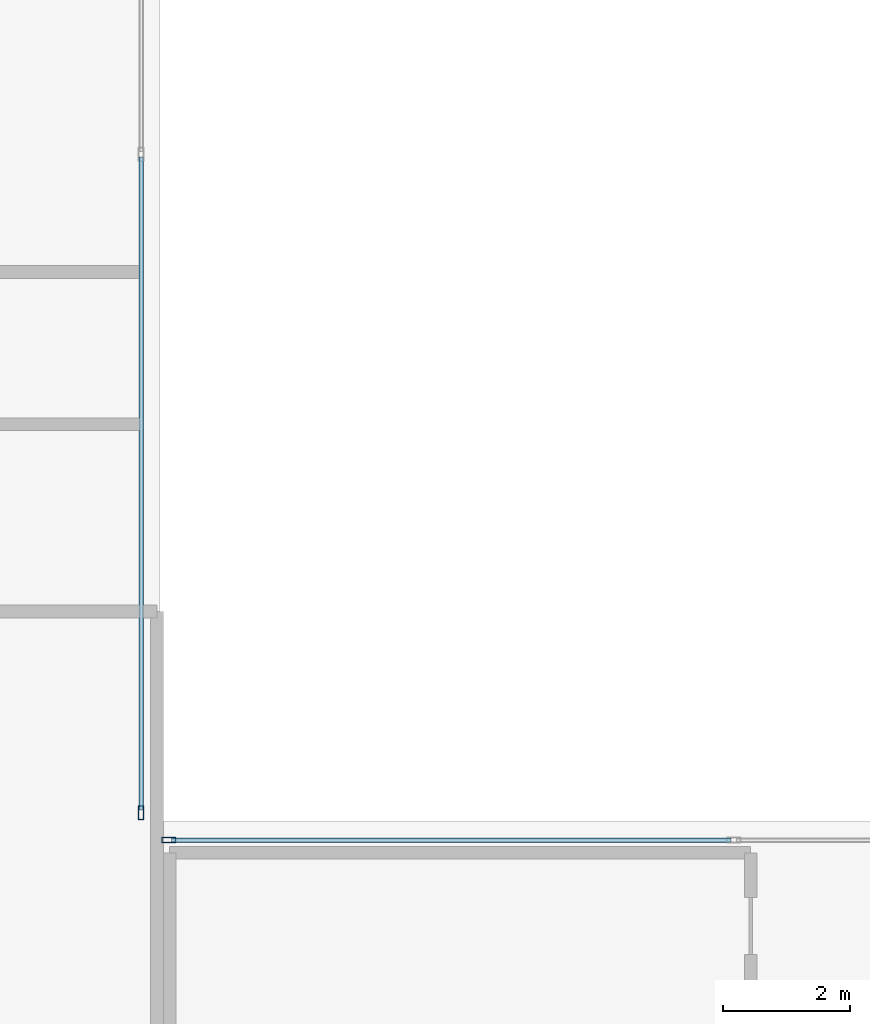
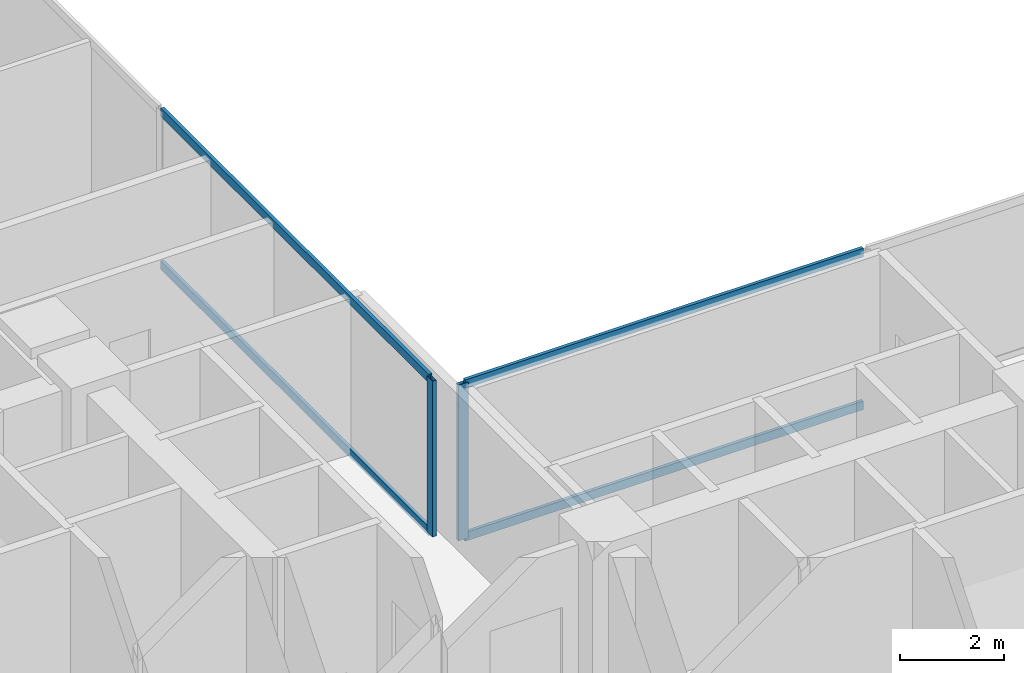
# One storey, part 7 of 25: 6 members, 2 elements without a shape of their own.
"""IFC4 building model written with IfcOpenShell, lengths in metres."""

import ifcopenshell
import ifcopenshell.guid

model = None  # the IFC model being written
_history = None  # IfcOwnerHistory: only IFC2X3 demands one
_inside = {}  # id of a spatial element -> (the spatial element, [elements in it])
_under = {}  # id of a project, library or spatial element -> (it, [spatial elements below it])
_declared = {}  # id of a project -> (the project, [libraries it declares])
_typed = {}  # id of a type object -> (the type object, [elements of that type])
_made_of = {}  # id of a material, layer set ... -> (it, [elements and type objects made of it])


def new_model(schema):
    """Start an empty IFC model of exactly this schema.

    Asked for "IFC4X3", IfcOpenShell would pick the latest addendum, in which some entities
    have other attributes; the version numbers below select the first issue.
    IFC2X3 requires an IfcOwnerHistory on every rooted entity: one is made here for all.
    """
    global model, _history
    if schema == "IFC4X3":
        model = ifcopenshell.file(schema_version=(4, 3, 0, 0))
    else:
        model = ifcopenshell.file(schema=schema)
    _inside.clear()
    _under.clear()
    _declared.clear()
    _typed.clear()
    _made_of.clear()
    _history = None
    if model.schema == "IFC2X3":
        org = make("IfcOrganization", Name="unknown")
        user = make(
            "IfcPersonAndOrganization",
            ThePerson=make("IfcPerson", FamilyName="unknown"),
            TheOrganization=org,
        )
        app = make(
            "IfcApplication",
            ApplicationDeveloper=org,
            Version="unknown",
            ApplicationFullName="unknown",
            ApplicationIdentifier="unknown",
        )
        _history = make(
            "IfcOwnerHistory",
            OwningUser=user,
            OwningApplication=app,
            ChangeAction="ADDED",
            CreationDate=0,
        )
    return model


def make(cls, **values):
    """One entity of the class cls with the attributes given. An attribute that is None is left unset."""
    return model.create_entity(
        cls, **{name: value for name, value in values.items() if value is not None}
    )


def rooted(cls, **values):
    """An entity with a GlobalId (a new one), such as an element, a storey or a relation."""
    return make(cls, GlobalId=ifcopenshell.guid.new(), OwnerHistory=_history, **values)


def si_unit(unit_type, name, prefix=None):
    """IfcSIUnit, for example si_unit("LENGTHUNIT", "METRE", prefix="MILLI")."""
    return make("IfcSIUnit", UnitType=unit_type, Prefix=prefix, Name=name)


def assignment(units):
    """IfcUnitAssignment: the units of a project."""
    return None if units is None else make("IfcUnitAssignment", Units=units)


def point(xyz):
    """IfcCartesianPoint."""
    return None if xyz is None else make("IfcCartesianPoint", Coordinates=xyz)


def direction(xyz):
    """IfcDirection."""
    return None if xyz is None else make("IfcDirection", DirectionRatios=xyz)


def frame(location, z_axis=None, x_axis=None):
    """IfcAxis2Placement3D, a coordinate frame: its origin and axes. An axis left out is left unset."""
    return make(
        "IfcAxis2Placement3D",
        Location=point(location),
        Axis=direction(z_axis),
        RefDirection=direction(x_axis),
    )


def frame_2d(location, x_axis=None):
    """IfcAxis2Placement2D, a coordinate frame in the plane: its origin and x axis."""
    return make(
        "IfcAxis2Placement2D", Location=point(location), RefDirection=direction(x_axis)
    )


def origin():
    """The frame at (0, 0, 0) with its axes left unset."""
    return frame((0.0, 0.0, 0.0))


def origin_2d():
    """The frame at (0, 0) in the plane with its x axis left unset."""
    return frame_2d((0.0, 0.0))


def place(relative_to, where):
    """IfcLocalPlacement: puts the frame where relative to a parent placement (None: the world)."""
    return make(
        "IfcLocalPlacement", PlacementRelTo=relative_to, RelativePlacement=where
    )


def context(
    kind, dimensions, precision=None, world=None, true_north=None, identifier=None
):
    """IfcGeometricRepresentationContext, for example the 3D "Model" context."""
    return make(
        "IfcGeometricRepresentationContext",
        ContextIdentifier=identifier,
        ContextType=kind,
        CoordinateSpaceDimension=dimensions,
        Precision=precision,
        WorldCoordinateSystem=world,
        TrueNorth=true_north,
    )


def subcontext(parent, identifier, kind, view, scale=None):
    """IfcGeometricRepresentationSubContext, for example "Body" below "Model"."""
    return make(
        "IfcGeometricRepresentationSubContext",
        ContextIdentifier=identifier,
        ContextType=kind,
        ParentContext=parent,
        TargetScale=scale,
        TargetView=view,
    )


def project(units=None, contexts=None):
    """IfcProject with its units and contexts."""
    return rooted(
        "IfcProject",
        Name="project",
        RepresentationContexts=contexts,
        UnitsInContext=assignment(units),
    )


def spatial(cls, under=None, at=None, **own):
    """A site, building, storey or space (cls), placed at a placement, below another one or the project."""
    s = rooted(cls, ObjectPlacement=at, **own)
    if under is not None:
        _under.setdefault(under.id(), (under, []))[1].append(s)
    return s


def profile(cls, at=None, kind="AREA", **sizes):
    """A parametric profile (cls). Its sizes go by their IFC names, for example OverallWidth=200.0."""
    return make(cls, ProfileType=kind, Position=at, **sizes)


def hollow_rectangle(**sizes):
    """IfcRectangleHollowProfileDef."""
    return profile("IfcRectangleHollowProfileDef", **sizes)


def extrude(swept, where, along, depth):
    """IfcExtrudedAreaSolid: the profile swept, set in the frame where, extruded along a direction by depth."""
    return make(
        "IfcExtrudedAreaSolid",
        SweptArea=swept,
        Position=where,
        ExtrudedDirection=direction(along),
        Depth=depth,
    )


def shape(context_of_items, identifier, shape_type, items):
    """IfcShapeRepresentation: the items that make up one representation, for example the "Body"."""
    return make(
        "IfcShapeRepresentation",
        ContextOfItems=context_of_items,
        RepresentationIdentifier=identifier,
        RepresentationType=shape_type,
        Items=items,
    )


def material(Name=None, Category=None):
    """IfcMaterial."""
    return make("IfcMaterial", Name=Name, Category=Category)


def layer(
    of_material, thickness, ventilated=None, Name=None, Category=None, Priority=None
):
    """IfcMaterialLayer: one layer of a wall or slab, of a material (None: an air gap)."""
    return make(
        "IfcMaterialLayer",
        Material=of_material,
        LayerThickness=thickness,
        IsVentilated=ventilated,
        Name=Name,
        Category=Category,
        Priority=Priority,
    )


def layer_set(layers, Name=None):
    """IfcMaterialLayerSet."""
    return make("IfcMaterialLayerSet", MaterialLayers=layers, LayerSetName=Name)


def material_profile(
    of_material, cross_section, Name=None, Category=None, Priority=None
):
    """IfcMaterialProfile: a cross section and its material."""
    return make(
        "IfcMaterialProfile",
        Name=Name,
        Material=of_material,
        Profile=cross_section,
        Priority=Priority,
        Category=Category,
    )


def profile_set(profiles, Name=None, composite=None):
    """IfcMaterialProfileSet."""
    return make(
        "IfcMaterialProfileSet",
        Name=Name,
        MaterialProfiles=profiles,
        CompositeProfile=composite,
    )


def made_of(thing, what):
    """Note that an element or type object is made of a material, layer set ...; save() writes the relation."""
    if what is not None:
        _made_of.setdefault(what.id(), (what, []))[1].append(thing)
    return thing


def type_object(cls, material=None, **own):
    """A type object (cls), such as IfcWallType, which elements share."""
    return made_of(rooted(cls, **own), material)


def element(
    cls,
    number,
    at=None,
    inside=None,
    cuts=None,
    type_object=None,
    material=None,
    context=None,
    identifier="Body",
    shape_type=None,
    held_by="IfcProductDefinitionShape",
    body=None,
    shapes=None,
    **own,
):
    """One element of the class cls, such as IfcWall. Its Tag is "e" and its number.

    at: its placement. inside: the storey or other place that contains it. cuts: it is an
    opening in that element (IfcRelVoidsElement). A single representation is given by context,
    identifier, shape_type and body (its items); several are given by shapes. held_by: the class
    of the entity that holds the representations. save() writes the other relations.
    """
    e = rooted(cls, Tag="e%d" % number, ObjectPlacement=at, **own)
    if body is not None:
        shapes = [shape(context, identifier, shape_type, body)]
    if shapes is not None:
        e.Representation = make(held_by, Representations=shapes)
    if inside is not None:
        _inside.setdefault(inside.id(), (inside, []))[1].append(e)
    if cuts is not None:
        rooted(
            "IfcRelVoidsElement", RelatingBuildingElement=cuts, RelatedOpeningElement=e
        )
    if type_object is not None:
        _typed.setdefault(type_object.id(), (type_object, []))[1].append(e)
    return made_of(e, material)


def aggregate(whole, parts):
    """IfcRelAggregates: a whole, such as a stair, and the parts it consists of."""
    return rooted("IfcRelAggregates", RelatingObject=whole, RelatedObjects=parts)


def save(model, path):
    """Write the relations noted so far, then the file.

    IfcRelAggregates (storeys below a building ...), IfcRelContainedInSpatialStructure (elements
    in a storey), IfcRelDefinesByType, IfcRelAssociatesMaterial and IfcRelDeclares: one each for
    every whole, place, type object, material and project.
    """
    for whole, parts in _under.values():
        aggregate(whole, parts)
    for where, things in _inside.values():
        rooted(
            "IfcRelContainedInSpatialStructure",
            RelatedElements=things,
            RelatingStructure=where,
        )
    for kind, things in _typed.values():
        rooted("IfcRelDefinesByType", RelatedObjects=things, RelatingType=kind)
    for what, things in _made_of.values():
        rooted("IfcRelAssociatesMaterial", RelatedObjects=things, RelatingMaterial=what)
    for by, libraries in _declared.values():
        rooted("IfcRelDeclares", RelatingContext=by, RelatedDefinitions=libraries)
    model.write(path)


model = new_model("IFC4")

# Units and contexts
model_context = context("Model", 3, precision=1e-05, world=origin(), true_north=direction((0.0, 1.0)))
body_context = subcontext(model_context, "Body", "Model", "MODEL_VIEW")
ifc_project = project(units=[si_unit("LENGTHUNIT", "METRE"), si_unit("AREAUNIT", "SQUARE_METRE"), si_unit("VOLUMEUNIT", "CUBIC_METRE"), si_unit("PLANEANGLEUNIT", "RADIAN"), si_unit("MASSUNIT", "GRAM", prefix="KILO"), si_unit("THERMODYNAMICTEMPERATUREUNIT", "KELVIN"), si_unit("POWERUNIT", "WATT")], contexts=[model_context])

# Site, building, storey
site_placement = place(None, origin())
site = spatial("IfcSite", under=ifc_project, at=site_placement, CompositionType="ELEMENT")
building_placement = place(site_placement, origin())
building = spatial("IfcBuilding", under=site, at=building_placement, Name="Svarakhadi Broadcast Tower", CompositionType="ELEMENT")
storey_placement = place(building_placement, frame((0.0, 0.0, 51.89990234375)))
storey = spatial("IfcBuildingStorey", under=building, at=storey_placement, Name="L11", CompositionType="ELEMENT", Elevation=51.89990234375)

# Curtain wall, member
ifc_material = material(Name="Anodised Bronze Aluminium AA 6063-T6", Category="aluminium")
ifc_layer = layer(ifc_material, 0.219970703125)
ifc_layer_set = layer_set([ifc_layer], Name="Anodised Bronze Aluminium AA 6063-T6")
curtain_wall_type = type_object("IfcCurtainWallType", Name="CW_Sys_02", PredefinedType="NOTDEFINED", material=ifc_layer_set)
curtain_wall_1_placement = place(storey_placement, origin())
curtain_wall_1 = element("IfcCurtainWall", 1, at=curtain_wall_1_placement, inside=storey, type_object=curtain_wall_type, Name="L11 Unitised Facade Curtain Wall 09", PredefinedType="NOTDEFINED")
ifc_material_profile_1 = material_profile(ifc_material, hollow_rectangle(XDim=0.0849609375, YDim=0.219970703125, WallThickness=0.006103515625, at=origin_2d()), Name="ALU MULLION 220x85x6")
ifc_profile_set_1 = profile_set([ifc_material_profile_1], Name="Anodised Bronze Aluminium AA 6063-T6")
member_type_1 = type_object("IfcMemberType", Name="CW_Sys_02_Mul", PredefinedType="MULLION", material=ifc_profile_set_1)
member_1_placement = place(storey_placement, frame((23.699951171875, 24.132568359375, 0.0), z_axis=(0.0, 0.0, 1.0), x_axis=(1.0, 0.0, 0.0)))
member_1 = element("IfcMember", 2, at=member_1_placement, type_object=member_type_1, Name="CW-02 mullion 3", PredefinedType="MULLION", context=body_context, shape_type="SweptSolid", body=[
    extrude(hollow_rectangle(XDim=0.0849609375, YDim=0.219970703125, WallThickness=0.006103515625, at=origin_2d()), origin(), (0.0, 0.0, 1.0), 3.650146484375),
])

curtain_wall_2_placement = place(storey_placement, origin())
curtain_wall_2 = element("IfcCurtainWall", 3, at=curtain_wall_2_placement, inside=storey, type_object=curtain_wall_type, Name="L11 Unitised Facade Curtain Wall 10", PredefinedType="NOTDEFINED")
member_2_placement = place(storey_placement, frame((24.132568359375, 23.699951171875, 0.0), z_axis=(0.0, 0.0, 1.0), x_axis=(0.0, 1.0, 0.0)))
member_2 = element("IfcMember", 4, at=member_2_placement, type_object=member_type_1, Name="CW-02 mullion 1", PredefinedType="MULLION", context=body_context, shape_type="SweptSolid", body=[
    extrude(hollow_rectangle(XDim=0.0849609375, YDim=0.219970703125, WallThickness=0.006103515625, at=origin_2d()), origin(), (0.0, 0.0, 1.0), 3.650146484375),
])

# Member
ifc_material_profile_2 = material_profile(ifc_material, hollow_rectangle(XDim=0.074951171875, YDim=0.199951171875, WallThickness=0.0048828125, at=origin_2d()), Name="ALU TRANSOM 200x75x5")
ifc_profile_set_2 = profile_set([ifc_material_profile_2], Name="Anodised Bronze Aluminium AA 6063-T6")
member_type_2 = type_object("IfcMemberType", Name="CW_Sys_02_Trn", PredefinedType="USERDEFINED", material=ifc_profile_set_2)
member_3_placement = place(storey_placement, frame((23.699951171875, 34.45751953125, 0.03759765625), z_axis=(0.0, -1.0, 0.0), x_axis=(1.0, 0.0, 0.0)))
member_3 = element("IfcMember", 5, at=member_3_placement, type_object=member_type_2, Name="CW-02 transom 2.1", ObjectType="TRANSOM", PredefinedType="USERDEFINED", context=body_context, shape_type="SweptSolid", body=[
    extrude(hollow_rectangle(XDim=0.074951171875, YDim=0.199951171875, WallThickness=0.0048828125, at=origin_2d()), origin(), (0.0, 0.0, 1.0), 10.282470703125),
])

member_4_placement = place(storey_placement, frame((23.699951171875, 34.45751953125, 3.612548828125), z_axis=(0.0, -1.0, 0.0), x_axis=(1.0, 0.0, 0.0)))
member_4 = element("IfcMember", 6, at=member_4_placement, type_object=member_type_2, Name="CW-02 transom 2.2", ObjectType="TRANSOM", PredefinedType="USERDEFINED", context=body_context, shape_type="SweptSolid", body=[
    extrude(hollow_rectangle(XDim=0.074951171875, YDim=0.199951171875, WallThickness=0.0048828125, at=origin_2d()), origin(), (0.0, 0.0, 1.0), 10.282470703125),
])

aggregate(curtain_wall_1, [member_1, member_3, member_4])

member_5_placement = place(storey_placement, frame((24.175048828125, 23.699951171875, 0.03759765625), z_axis=(1.0, 0.0, 0.0), x_axis=(0.0, 1.0, 0.0)))
member_5 = element("IfcMember", 7, at=member_5_placement, type_object=member_type_2, Name="CW-02 transom 1.1", ObjectType="TRANSOM", PredefinedType="USERDEFINED", context=body_context, shape_type="SweptSolid", body=[
    extrude(hollow_rectangle(XDim=0.074951171875, YDim=0.199951171875, WallThickness=0.0048828125, at=origin_2d()), origin(), (0.0, 0.0, 1.0), 8.8125),
])

member_6_placement = place(storey_placement, frame((24.175048828125, 23.699951171875, 3.612548828125), z_axis=(1.0, 0.0, 0.0), x_axis=(0.0, 1.0, 0.0)))
member_6 = element("IfcMember", 8, at=member_6_placement, type_object=member_type_2, Name="CW-02 transom 1.2", ObjectType="TRANSOM", PredefinedType="USERDEFINED", context=body_context, shape_type="SweptSolid", body=[
    extrude(hollow_rectangle(XDim=0.074951171875, YDim=0.199951171875, WallThickness=0.0048828125, at=origin_2d()), origin(), (0.0, 0.0, 1.0), 8.8125),
])

aggregate(curtain_wall_2, [member_2, member_5, member_6])

save(model, "model.ifc")
